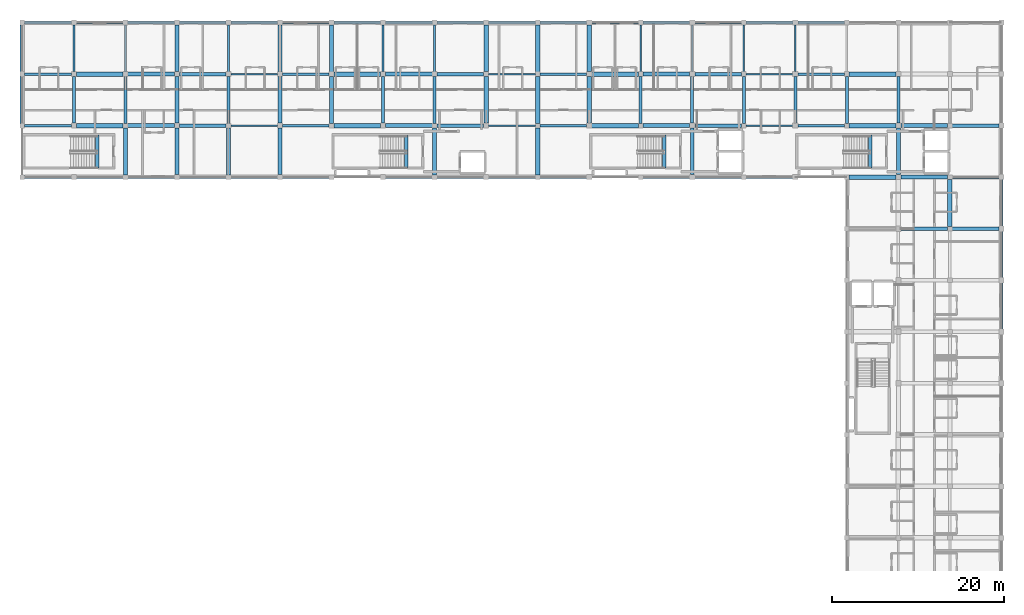
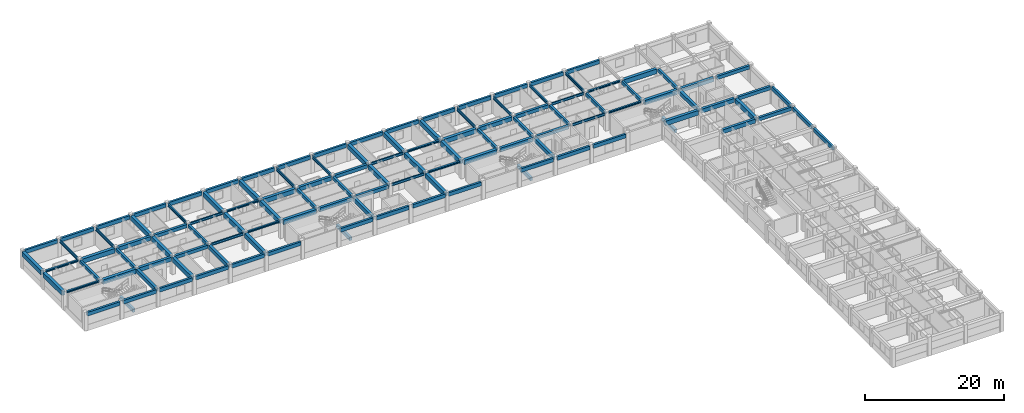
# One storey, part 2 of 21: 120 beams.
"""IFC4 building model written with IfcOpenShell, lengths in metres."""

from ifc_helpers import new_model, si_unit, direction, frame, origin, origin_2d, place, context, subcontext, project, spatial, rectangle, i_section, extrude, material, material_profile, profile_set, type_object, element, save


model = new_model("IFC4")

# Units and contexts
model_context = context("Model", 3, precision=1e-05, world=origin(), true_north=direction((0.0, 1.0)))
body_context = subcontext(model_context, "Body", "Model", "MODEL_VIEW")
ifc_project = project(units=[si_unit("LENGTHUNIT", "METRE"), si_unit("AREAUNIT", "SQUARE_METRE"), si_unit("VOLUMEUNIT", "CUBIC_METRE"), si_unit("PLANEANGLEUNIT", "RADIAN"), si_unit("MASSUNIT", "GRAM", prefix="KILO"), si_unit("THERMODYNAMICTEMPERATUREUNIT", "KELVIN"), si_unit("POWERUNIT", "WATT")], contexts=[model_context])

# Site, building, storey
site_placement = place(None, origin())
site = spatial("IfcSite", under=ifc_project, at=site_placement, CompositionType="ELEMENT")
building_placement = place(site_placement, origin())
building = spatial("IfcBuilding", under=site, at=building_placement, Name="Phaisarnlok Congress Hotel", CompositionType="ELEMENT")
storey_placement = place(building_placement, frame((0.0, 0.0, 31.5)))
storey = spatial("IfcBuildingStorey", under=building, at=storey_placement, Name="L07", CompositionType="ELEMENT", Elevation=31.5)

# Beams
ifc_material_1 = material(Name="Concrete C40/50", Category="concrete")
ifc_material_profile_1 = material_profile(ifc_material_1, rectangle(XDim=0.35009765625, YDim=0.550048828125, at=origin_2d()), Name="RC 350x550")
ifc_profile_set_1 = profile_set([ifc_material_profile_1], Name="Concrete C40/50")
beam_type_1 = type_object("IfcBeamType", Name="BM-RC-350x550", PredefinedType="BEAM", material=ifc_profile_set_1)
beam_1_placement = place(storey_placement, frame((72.0, 114.294921875, 2.794921875), z_axis=(0.0, 1.0, 0.0), x_axis=(-1.0, 0.0, 0.0)))
element("IfcBeam", 1, at=beam_1_placement, inside=storey, type_object=beam_type_1, Name="Beam B-01", PredefinedType="BEAM", context=body_context, shape_type="SweptSolid", body=[
    extrude(rectangle(XDim=0.35009765625, YDim=0.550048828125, at=origin_2d()), origin(), (0.0, 0.0, 1.0), 5.41015625),
])
for number, where, z_axis, x_axis, name in (
    (2, (78.0, 114.27001953125, 2.794921875), (0.0, 1.0, 0.0), (-1.0, 0.0, 0.0), "Beam B-01"),
    (3, (90.0, 114.27001953125, 2.794921875), (0.0, 1.0, 0.0), (-1.0, 0.0, 0.0), "Beam B-01"),
):
    element("IfcBeam", number, at=place(storey_placement, frame(where, z_axis=z_axis, x_axis=x_axis)), inside=storey, type_object=beam_type_1, Name=name, PredefinedType="BEAM", context=body_context, shape_type="SweptSolid", body=[
        extrude(rectangle(XDim=0.35009765625, YDim=0.550048828125, at=origin_2d()), origin(), (0.0, 0.0, 1.0), 5.4599609375),
    ])
beam_2_placement = place(storey_placement, frame((108.0, 114.294921875, 2.794921875), z_axis=(0.0, 1.0, 0.0), x_axis=(-1.0, 0.0, 0.0)))
element("IfcBeam", 4, at=beam_2_placement, inside=storey, type_object=beam_type_1, Name="Beam B-01", PredefinedType="BEAM", context=body_context, shape_type="SweptSolid", body=[
    extrude(rectangle(XDim=0.35009765625, YDim=0.550048828125, at=origin_2d()), origin(), (0.0, 0.0, 1.0), 5.41015625),
])
for number, where, z_axis, x_axis, name in (
    (5, (114.0, 114.27001953125, 2.794921875), (0.0, 1.0, 0.0), (-1.0, 0.0, 0.0), "Beam B-01"),
    (6, (138.0, 114.27001953125, 2.794921875), (0.0, 1.0, 0.0), (-1.0, 0.0, 0.0), "Beam B-01"),
):
    element("IfcBeam", number, at=place(storey_placement, frame(where, z_axis=z_axis, x_axis=x_axis)), inside=storey, type_object=beam_type_1, Name=name, PredefinedType="BEAM", context=body_context, shape_type="SweptSolid", body=[
        extrude(rectangle(XDim=0.35009765625, YDim=0.550048828125, at=origin_2d()), origin(), (0.0, 0.0, 1.0), 5.4599609375),
    ])
beam_3_placement = place(storey_placement, frame((144.0, 114.294921875, 2.794921875), z_axis=(0.0, 1.0, 0.0), x_axis=(-1.0, 0.0, 0.0)))
element("IfcBeam", 7, at=beam_3_placement, inside=storey, type_object=beam_type_1, Name="Beam B-01", PredefinedType="BEAM", context=body_context, shape_type="SweptSolid", body=[
    extrude(rectangle(XDim=0.35009765625, YDim=0.550048828125, at=origin_2d()), origin(), (0.0, 0.0, 1.0), 5.41015625),
])
beam_4_placement = place(storey_placement, frame((150.0, 114.27001953125, 2.794921875), z_axis=(0.0, 1.0, 0.0), x_axis=(-1.0, 0.0, 0.0)))
element("IfcBeam", 8, at=beam_4_placement, inside=storey, type_object=beam_type_1, Name="Beam B-01", PredefinedType="BEAM", context=body_context, shape_type="SweptSolid", body=[
    extrude(rectangle(XDim=0.35009765625, YDim=0.550048828125, at=origin_2d()), origin(), (0.0, 0.0, 1.0), 5.4599609375),
])
beam_5_placement = place(storey_placement, frame((156.0, 114.294921875, 2.794921875), z_axis=(0.0, 1.0, 0.0), x_axis=(-1.0, 0.0, 0.0)))
element("IfcBeam", 9, at=beam_5_placement, inside=storey, type_object=beam_type_1, Name="Beam B-01", PredefinedType="BEAM", context=body_context, shape_type="SweptSolid", body=[
    extrude(rectangle(XDim=0.35009765625, YDim=0.550048828125, at=origin_2d()), origin(), (0.0, 0.0, 1.0), 5.41015625),
])
beam_6_placement = place(storey_placement, frame((162.0, 114.27001953125, 2.794921875), z_axis=(0.0, 1.0, 0.0), x_axis=(-1.0, 0.0, 0.0)))
element("IfcBeam", 10, at=beam_6_placement, inside=storey, type_object=beam_type_1, Name="Beam B-01", PredefinedType="BEAM", context=body_context, shape_type="SweptSolid", body=[
    extrude(rectangle(XDim=0.35009765625, YDim=0.550048828125, at=origin_2d()), origin(), (0.0, 0.0, 1.0), 5.4599609375),
])
beam_7_placement = place(storey_placement, frame((168.0, 114.294921875, 2.794921875), z_axis=(0.0, 1.0, 0.0), x_axis=(-1.0, 0.0, 0.0)))
element("IfcBeam", 11, at=beam_7_placement, inside=storey, type_object=beam_type_1, Name="Beam B-01", PredefinedType="BEAM", context=body_context, shape_type="SweptSolid", body=[
    extrude(rectangle(XDim=0.35009765625, YDim=0.550048828125, at=origin_2d()), origin(), (0.0, 0.0, 1.0), 5.41015625),
])
ifc_material_profile_2 = material_profile(ifc_material_1, rectangle(XDim=0.39990234375, YDim=0.60009765625, at=origin_2d()), Name="RC 400x600")
ifc_profile_set_2 = profile_set([ifc_material_profile_2], Name="Concrete C40/50")
beam_type_2 = type_object("IfcBeamType", Name="BM-RC-400x600", PredefinedType="BEAM", material=ifc_profile_set_2)
for number, where, z_axis, x_axis, name in (
    (12, (84.294921875, 114.0, 2.77001953125), (1.0, 0.0, 0.0), (0.0, 1.0, 0.0), "Beam B-02"),
    (13, (84.294921875, 120.0, 2.77001953125), (1.0, 0.0, 0.0), (0.0, 1.0, 0.0), "Beam B-02"),
    (14, (114.27001953125, 114.0, 2.77001953125), (1.0, 0.0, 0.0), (0.0, 1.0, 0.0), "Beam B-02"),
    (15, (114.27001953125, 120.0, 2.77001953125), (1.0, 0.0, 0.0), (0.0, 1.0, 0.0), "Beam B-02"),
    (16, (144.294921875, 114.0, 2.77001953125), (1.0, 0.0, 0.0), (0.0, 1.0, 0.0), "Beam B-02"),
    (17, (144.294921875, 120.0, 2.77001953125), (1.0, 0.0, 0.0), (0.0, 1.0, 0.0), "Beam B-02"),
    (18, (174.27001953125, 102.0, 2.77001953125), (1.0, 0.0, 0.0), (0.0, 1.0, 0.0), "Beam B-02"),
    (19, (174.27001953125, 108.0, 2.77001953125), (1.0, 0.0, 0.0), (0.0, 1.0, 0.0), "Beam B-02"),
    (20, (174.27001953125, 114.0, 2.77001953125), (1.0, 0.0, 0.0), (0.0, 1.0, 0.0), "Beam B-02"),
):
    element("IfcBeam", number, at=place(storey_placement, frame(where, z_axis=z_axis, x_axis=x_axis)), inside=storey, type_object=beam_type_2, Name=name, PredefinedType="BEAM", context=body_context, shape_type="SweptSolid", body=[
        extrude(rectangle(XDim=0.39990234375, YDim=0.60009765625, at=origin_2d()), origin(), (0.0, 0.0, 1.0), 5.43505859375),
    ])
for number, where, z_axis, x_axis, name in (
    (21, (164.719970703125, 109.080078125, -0.300048828125), (0.0, 1.0, 0.0), (-1.0, 0.0, 0.0), "Stair landing header beam B-02 (CORE-1 L07)"),
    (22, (140.719970703125, 109.080078125, -0.300048828125), (0.0, 1.0, 0.0), (-1.0, 0.0, 0.0), "Stair landing header beam B-02 (CORE-2 L07)"),
    (23, (110.719970703125, 109.080078125, -0.300048828125), (0.0, 1.0, 0.0), (-1.0, 0.0, 0.0), "Stair landing header beam B-02 (CORE-4 L07)"),
    (24, (74.719970703125, 109.080078125, -0.300048828125), (0.0, 1.0, 0.0), (-1.0, 0.0, 0.0), "Stair landing header beam B-02 (STAIR-HW L07)"),
):
    element("IfcBeam", number, at=place(storey_placement, frame(where, z_axis=z_axis, x_axis=x_axis)), inside=storey, type_object=beam_type_2, Name=name, PredefinedType="BEAM", context=body_context, shape_type="SweptSolid", body=[
        extrude(rectangle(XDim=0.39990234375, YDim=0.60009765625, at=origin_2d()), origin(), (0.0, 0.0, 1.0), 3.83984375),
    ])
ifc_material_profile_3 = material_profile(ifc_material_1, rectangle(XDim=0.449951171875, YDim=0.699951171875, at=origin_2d()), Name="RC 450x700")
ifc_profile_set_3 = profile_set([ifc_material_profile_3], Name="Concrete C40/50")
beam_type_3 = type_object("IfcBeamType", Name="BM-RC-450x700", PredefinedType="BEAM", material=ifc_profile_set_3)
beam_8_placement = place(storey_placement, frame((78.0, 108.27001953125, 2.719970703125), z_axis=(0.0, 1.0, 0.0), x_axis=(-1.0, 0.0, 0.0)))
element("IfcBeam", 25, at=beam_8_placement, inside=storey, type_object=beam_type_3, Name="Beam B-03", PredefinedType="BEAM", context=body_context, shape_type="SweptSolid", body=[
    extrude(rectangle(XDim=0.449951171875, YDim=0.699951171875, at=origin_2d()), origin(), (0.0, 0.0, 1.0), 5.4599609375),
])
for number, where, z_axis, x_axis, name in (
    (26, (78.27001953125, 114.0, 2.719970703125), (1.0, 0.0, 0.0), (0.0, 1.0, 0.0), "Beam B-03"),
    (27, (78.27001953125, 120.0, 2.719970703125), (1.0, 0.0, 0.0), (0.0, 1.0, 0.0), "Beam B-03"),
):
    element("IfcBeam", number, at=place(storey_placement, frame(where, z_axis=z_axis, x_axis=x_axis)), inside=storey, type_object=beam_type_3, Name=name, PredefinedType="BEAM", context=body_context, shape_type="SweptSolid", body=[
        extrude(rectangle(XDim=0.449951171875, YDim=0.699951171875, at=origin_2d()), origin(), (0.0, 0.0, 1.0), 5.43505859375),
    ])
beam_9_placement = place(storey_placement, frame((90.0, 108.27001953125, 2.719970703125), z_axis=(0.0, 1.0, 0.0), x_axis=(-1.0, 0.0, 0.0)))
element("IfcBeam", 28, at=beam_9_placement, inside=storey, type_object=beam_type_3, Name="Beam B-03", PredefinedType="BEAM", context=body_context, shape_type="SweptSolid", body=[
    extrude(rectangle(XDim=0.449951171875, YDim=0.699951171875, at=origin_2d()), origin(), (0.0, 0.0, 1.0), 5.4599609375),
])
for number, where, z_axis, x_axis, name in (
    (29, (108.294921875, 114.0, 2.719970703125), (1.0, 0.0, 0.0), (0.0, 1.0, 0.0), "Beam B-03"),
    (30, (108.294921875, 120.0, 2.719970703125), (1.0, 0.0, 0.0), (0.0, 1.0, 0.0), "Beam B-03"),
):
    element("IfcBeam", number, at=place(storey_placement, frame(where, z_axis=z_axis, x_axis=x_axis)), inside=storey, type_object=beam_type_3, Name=name, PredefinedType="BEAM", context=body_context, shape_type="SweptSolid", body=[
        extrude(rectangle(XDim=0.449951171875, YDim=0.699951171875, at=origin_2d()), origin(), (0.0, 0.0, 1.0), 5.43505859375),
    ])
beam_10_placement = place(storey_placement, frame((114.0, 108.27001953125, 2.719970703125), z_axis=(0.0, 1.0, 0.0), x_axis=(-1.0, 0.0, 0.0)))
element("IfcBeam", 31, at=beam_10_placement, inside=storey, type_object=beam_type_3, Name="Beam B-03", PredefinedType="BEAM", context=body_context, shape_type="SweptSolid", body=[
    extrude(rectangle(XDim=0.449951171875, YDim=0.699951171875, at=origin_2d()), origin(), (0.0, 0.0, 1.0), 5.4599609375),
])
for number, where, z_axis, x_axis, name in (
    (32, (138.27001953125, 114.0, 2.719970703125), (1.0, 0.0, 0.0), (0.0, 1.0, 0.0), "Beam B-03"),
    (33, (138.27001953125, 120.0, 2.719970703125), (1.0, 0.0, 0.0), (0.0, 1.0, 0.0), "Beam B-03"),
):
    element("IfcBeam", number, at=place(storey_placement, frame(where, z_axis=z_axis, x_axis=x_axis)), inside=storey, type_object=beam_type_3, Name=name, PredefinedType="BEAM", context=body_context, shape_type="SweptSolid", body=[
        extrude(rectangle(XDim=0.449951171875, YDim=0.699951171875, at=origin_2d()), origin(), (0.0, 0.0, 1.0), 5.43505859375),
    ])
beam_11_placement = place(storey_placement, frame((144.0, 108.294921875, 2.719970703125), z_axis=(0.0, 1.0, 0.0), x_axis=(-1.0, 0.0, 0.0)))
element("IfcBeam", 34, at=beam_11_placement, inside=storey, type_object=beam_type_3, Name="Beam B-03", PredefinedType="BEAM", context=body_context, shape_type="SweptSolid", body=[
    extrude(rectangle(XDim=0.449951171875, YDim=0.699951171875, at=origin_2d()), origin(), (0.0, 0.0, 1.0), 5.41015625),
])
for number, where, z_axis, x_axis, name in (
    (35, (168.294921875, 102.0, 2.719970703125), (1.0, 0.0, 0.0), (0.0, 1.0, 0.0), "Beam B-03"),
    (36, (168.294921875, 108.0, 2.719970703125), (1.0, 0.0, 0.0), (0.0, 1.0, 0.0), "Beam B-03"),
):
    element("IfcBeam", number, at=place(storey_placement, frame(where, z_axis=z_axis, x_axis=x_axis)), inside=storey, type_object=beam_type_3, Name=name, PredefinedType="BEAM", context=body_context, shape_type="SweptSolid", body=[
        extrude(rectangle(XDim=0.449951171875, YDim=0.699951171875, at=origin_2d()), origin(), (0.0, 0.0, 1.0), 5.43505859375),
    ])
beam_12_placement = place(storey_placement, frame((168.0, 108.294921875, 2.719970703125), z_axis=(0.0, 1.0, 0.0), x_axis=(-1.0, 0.0, 0.0)))
element("IfcBeam", 37, at=beam_12_placement, inside=storey, type_object=beam_type_3, Name="Beam B-03", PredefinedType="BEAM", context=body_context, shape_type="SweptSolid", body=[
    extrude(rectangle(XDim=0.449951171875, YDim=0.699951171875, at=origin_2d()), origin(), (0.0, 0.0, 1.0), 5.41015625),
])
beam_13_placement = place(storey_placement, frame((168.294921875, 114.0, 2.719970703125), z_axis=(1.0, 0.0, 0.0), x_axis=(0.0, 1.0, 0.0)))
element("IfcBeam", 38, at=beam_13_placement, inside=storey, type_object=beam_type_3, Name="Beam B-03", PredefinedType="BEAM", context=body_context, shape_type="SweptSolid", body=[
    extrude(rectangle(XDim=0.449951171875, YDim=0.699951171875, at=origin_2d()), origin(), (0.0, 0.0, 1.0), 5.43505859375),
])
ifc_material_profile_4 = material_profile(ifc_material_1, rectangle(XDim=0.5, YDim=0.800048828125, at=origin_2d()), Name="RC 500x800")
ifc_profile_set_4 = profile_set([ifc_material_profile_4], Name="Concrete C40/50")
beam_type_4 = type_object("IfcBeamType", Name="BM-RC-500x800", PredefinedType="BEAM", material=ifc_profile_set_4)
for number, where, z_axis, x_axis, name in (
    (39, (72.294921875, 114.0, 2.669921875), (1.0, 0.0, 0.0), (0.0, 1.0, 0.0), "Beam B-04"),
    (40, (72.294921875, 120.0, 2.669921875), (1.0, 0.0, 0.0), (0.0, 1.0, 0.0), "Beam B-04"),
):
    element("IfcBeam", number, at=place(storey_placement, frame(where, z_axis=z_axis, x_axis=x_axis)), inside=storey, type_object=beam_type_4, Name=name, PredefinedType="BEAM", context=body_context, shape_type="SweptSolid", body=[
        extrude(rectangle(XDim=0.5, YDim=0.800048828125, at=origin_2d()), origin(), (0.0, 0.0, 1.0), 5.43505859375),
    ])
for number, where, z_axis, x_axis, name in (
    (41, (84.0, 108.294921875, 2.669921875), (0.0, 1.0, 0.0), (-1.0, 0.0, 0.0), "Beam B-04"),
    (42, (84.0, 114.294921875, 2.669921875), (0.0, 1.0, 0.0), (-1.0, 0.0, 0.0), "Beam B-04"),
    (43, (84.0, 120.294921875, 2.669921875), (0.0, 1.0, 0.0), (-1.0, 0.0, 0.0), "Beam B-04"),
    (44, (96.0, 108.294921875, 2.669921875), (0.0, 1.0, 0.0), (-1.0, 0.0, 0.0), "Beam B-04"),
    (45, (96.0, 114.294921875, 2.669921875), (0.0, 1.0, 0.0), (-1.0, 0.0, 0.0), "Beam B-04"),
    (46, (96.0, 120.294921875, 2.669921875), (0.0, 1.0, 0.0), (-1.0, 0.0, 0.0), "Beam B-04"),
):
    element("IfcBeam", number, at=place(storey_placement, frame(where, z_axis=z_axis, x_axis=x_axis)), inside=storey, type_object=beam_type_4, Name=name, PredefinedType="BEAM", context=body_context, shape_type="SweptSolid", body=[
        extrude(rectangle(XDim=0.5, YDim=0.800048828125, at=origin_2d()), origin(), (0.0, 0.0, 1.0), 5.41015625),
    ])
beam_14_placement = place(storey_placement, frame((102.27001953125, 114.0, 2.669921875), z_axis=(1.0, 0.0, 0.0), x_axis=(0.0, 1.0, 0.0)))
element("IfcBeam", 47, at=beam_14_placement, inside=storey, type_object=beam_type_4, Name="Beam B-04", PredefinedType="BEAM", context=body_context, shape_type="SweptSolid", body=[
    extrude(rectangle(XDim=0.5, YDim=0.800048828125, at=origin_2d()), origin(), (0.0, 0.0, 1.0), 5.43505859375),
])
beam_15_placement = place(storey_placement, frame((102.0, 114.27001953125, 2.669921875), z_axis=(0.0, 1.0, 0.0), x_axis=(-1.0, 0.0, 0.0)))
element("IfcBeam", 48, at=beam_15_placement, inside=storey, type_object=beam_type_4, Name="Beam B-04", PredefinedType="BEAM", context=body_context, shape_type="SweptSolid", body=[
    extrude(rectangle(XDim=0.5, YDim=0.800048828125, at=origin_2d()), origin(), (0.0, 0.0, 1.0), 5.4599609375),
])
beam_16_placement = place(storey_placement, frame((102.27001953125, 120.0, 2.669921875), z_axis=(1.0, 0.0, 0.0), x_axis=(0.0, 1.0, 0.0)))
element("IfcBeam", 49, at=beam_16_placement, inside=storey, type_object=beam_type_4, Name="Beam B-04", PredefinedType="BEAM", context=body_context, shape_type="SweptSolid", body=[
    extrude(rectangle(XDim=0.5, YDim=0.800048828125, at=origin_2d()), origin(), (0.0, 0.0, 1.0), 5.43505859375),
])
beam_17_placement = place(storey_placement, frame((102.0, 120.27001953125, 2.669921875), z_axis=(0.0, 1.0, 0.0), x_axis=(-1.0, 0.0, 0.0)))
element("IfcBeam", 50, at=beam_17_placement, inside=storey, type_object=beam_type_4, Name="Beam B-04", PredefinedType="BEAM", context=body_context, shape_type="SweptSolid", body=[
    extrude(rectangle(XDim=0.5, YDim=0.800048828125, at=origin_2d()), origin(), (0.0, 0.0, 1.0), 5.4599609375),
])
for number, where, z_axis, x_axis, name in (
    (51, (120.0, 114.294921875, 2.669921875), (0.0, 1.0, 0.0), (-1.0, 0.0, 0.0), "Beam B-04"),
    (52, (120.0, 120.294921875, 2.669921875), (0.0, 1.0, 0.0), (-1.0, 0.0, 0.0), "Beam B-04"),
):
    element("IfcBeam", number, at=place(storey_placement, frame(where, z_axis=z_axis, x_axis=x_axis)), inside=storey, type_object=beam_type_4, Name=name, PredefinedType="BEAM", context=body_context, shape_type="SweptSolid", body=[
        extrude(rectangle(XDim=0.5, YDim=0.800048828125, at=origin_2d()), origin(), (0.0, 0.0, 1.0), 5.41015625),
    ])
for number, where, z_axis, x_axis, name in (
    (53, (126.0, 108.27001953125, 2.669921875), (0.0, 1.0, 0.0), (-1.0, 0.0, 0.0), "Beam B-04"),
    (54, (126.0, 114.27001953125, 2.669921875), (0.0, 1.0, 0.0), (-1.0, 0.0, 0.0), "Beam B-04"),
    (55, (126.0, 120.27001953125, 2.669921875), (0.0, 1.0, 0.0), (-1.0, 0.0, 0.0), "Beam B-04"),
):
    element("IfcBeam", number, at=place(storey_placement, frame(where, z_axis=z_axis, x_axis=x_axis)), inside=storey, type_object=beam_type_4, Name=name, PredefinedType="BEAM", context=body_context, shape_type="SweptSolid", body=[
        extrude(rectangle(XDim=0.5, YDim=0.800048828125, at=origin_2d()), origin(), (0.0, 0.0, 1.0), 5.4599609375),
    ])
beam_18_placement = place(storey_placement, frame((132.294921875, 114.0, 2.669921875), z_axis=(1.0, 0.0, 0.0), x_axis=(0.0, 1.0, 0.0)))
element("IfcBeam", 56, at=beam_18_placement, inside=storey, type_object=beam_type_4, Name="Beam B-04", PredefinedType="BEAM", context=body_context, shape_type="SweptSolid", body=[
    extrude(rectangle(XDim=0.5, YDim=0.800048828125, at=origin_2d()), origin(), (0.0, 0.0, 1.0), 5.43505859375),
])
beam_19_placement = place(storey_placement, frame((132.0, 114.294921875, 2.669921875), z_axis=(0.0, 1.0, 0.0), x_axis=(-1.0, 0.0, 0.0)))
element("IfcBeam", 57, at=beam_19_placement, inside=storey, type_object=beam_type_4, Name="Beam B-04", PredefinedType="BEAM", context=body_context, shape_type="SweptSolid", body=[
    extrude(rectangle(XDim=0.5, YDim=0.800048828125, at=origin_2d()), origin(), (0.0, 0.0, 1.0), 5.41015625),
])
beam_20_placement = place(storey_placement, frame((132.294921875, 120.0, 2.669921875), z_axis=(1.0, 0.0, 0.0), x_axis=(0.0, 1.0, 0.0)))
element("IfcBeam", 58, at=beam_20_placement, inside=storey, type_object=beam_type_4, Name="Beam B-04", PredefinedType="BEAM", context=body_context, shape_type="SweptSolid", body=[
    extrude(rectangle(XDim=0.5, YDim=0.800048828125, at=origin_2d()), origin(), (0.0, 0.0, 1.0), 5.43505859375),
])
beam_21_placement = place(storey_placement, frame((132.0, 120.294921875, 2.669921875), z_axis=(0.0, 1.0, 0.0), x_axis=(-1.0, 0.0, 0.0)))
element("IfcBeam", 59, at=beam_21_placement, inside=storey, type_object=beam_type_4, Name="Beam B-04", PredefinedType="BEAM", context=body_context, shape_type="SweptSolid", body=[
    extrude(rectangle(XDim=0.5, YDim=0.800048828125, at=origin_2d()), origin(), (0.0, 0.0, 1.0), 5.41015625),
])
for number, where, z_axis, x_axis, name in (
    (60, (162.27001953125, 108.0, 2.669921875), (1.0, 0.0, 0.0), (0.0, 1.0, 0.0), "Beam B-04"),
    (61, (162.27001953125, 114.0, 2.669921875), (1.0, 0.0, 0.0), (0.0, 1.0, 0.0), "Beam B-04"),
    (62, (162.27001953125, 120.0, 2.669921875), (1.0, 0.0, 0.0), (0.0, 1.0, 0.0), "Beam B-04"),
):
    element("IfcBeam", number, at=place(storey_placement, frame(where, z_axis=z_axis, x_axis=x_axis)), inside=storey, type_object=beam_type_4, Name=name, PredefinedType="BEAM", context=body_context, shape_type="SweptSolid", body=[
        extrude(rectangle(XDim=0.5, YDim=0.800048828125, at=origin_2d()), origin(), (0.0, 0.0, 1.0), 5.43505859375),
    ])
beam_22_placement = place(storey_placement, frame((174.0, 102.27001953125, 2.669921875), z_axis=(0.0, 1.0, 0.0), x_axis=(-1.0, 0.0, 0.0)))
element("IfcBeam", 63, at=beam_22_placement, inside=storey, type_object=beam_type_4, Name="Beam B-04", PredefinedType="BEAM", context=body_context, shape_type="SweptSolid", body=[
    extrude(rectangle(XDim=0.5, YDim=0.800048828125, at=origin_2d()), origin(), (0.0, 0.0, 1.0), 5.4599609375),
])
ifc_material_2 = material(Name="Steel S355", Category="steel")
ifc_material_profile_5 = material_profile(ifc_material_2, i_section(OverallWidth=0.300048828125, OverallDepth=0.2900390625, WebThickness=0.008544921875, FlangeThickness=0.013916015625, FilletRadius=0.027099609375, at=origin_2d()), Name="HEA 300")
ifc_profile_set_5 = profile_set([ifc_material_profile_5], Name="Steel S355")
beam_type_5 = type_object("IfcBeamType", Name="BM-STL-HEA300", PredefinedType="BEAM", material=ifc_profile_set_5)
for number, where, z_axis, x_axis, name in (
    (64, (66.27001953125, 114.0, 2.925048828125), (1.0, 0.0, 0.0), (0.0, 1.0, 0.0), "Beam SB-05"),
    (65, (66.27001953125, 120.0, 2.925048828125), (1.0, 0.0, 0.0), (0.0, 1.0, 0.0), "Beam SB-05"),
    (66, (96.294921875, 114.0, 2.925048828125), (1.0, 0.0, 0.0), (0.0, 1.0, 0.0), "Beam SB-05"),
    (67, (96.294921875, 120.0, 2.925048828125), (1.0, 0.0, 0.0), (0.0, 1.0, 0.0), "Beam SB-05"),
    (68, (126.27001953125, 114.0, 2.925048828125), (1.0, 0.0, 0.0), (0.0, 1.0, 0.0), "Beam SB-05"),
    (69, (126.27001953125, 120.0, 2.925048828125), (1.0, 0.0, 0.0), (0.0, 1.0, 0.0), "Beam SB-05"),
    (70, (156.294921875, 114.0, 2.925048828125), (1.0, 0.0, 0.0), (0.0, 1.0, 0.0), "Beam SB-05"),
    (71, (156.294921875, 120.0, 2.925048828125), (1.0, 0.0, 0.0), (0.0, 1.0, 0.0), "Beam SB-05"),
):
    element("IfcBeam", number, at=place(storey_placement, frame(where, z_axis=z_axis, x_axis=x_axis)), inside=storey, type_object=beam_type_5, Name=name, PredefinedType="BEAM", context=body_context, shape_type="SweptSolid", body=[
        extrude(i_section(OverallWidth=0.300048828125, OverallDepth=0.2900390625, WebThickness=0.008544921875, FlangeThickness=0.013916015625, FilletRadius=0.027099609375, at=origin_2d()), origin(), (0.0, 0.0, 1.0), 5.43505859375),
    ])
ifc_material_profile_6 = material_profile(ifc_material_2, i_section(OverallWidth=0.18994140625, OverallDepth=0.449951171875, WebThickness=0.009521484375, FlangeThickness=0.0146484375, FilletRadius=0.02099609375, at=origin_2d()), Name="IPE 450")
ifc_profile_set_6 = profile_set([ifc_material_profile_6], Name="Steel S355")
beam_type_6 = type_object("IfcBeamType", Name="BM-STL-IPE450", PredefinedType="BEAM", material=ifc_profile_set_6)
for number, where, z_axis, x_axis, name in (
    (72, (90.27001953125, 114.0, 2.844970703125), (1.0, 0.0, 0.0), (0.0, 1.0, 0.0), "Beam SB-01"),
    (73, (90.27001953125, 120.0, 2.844970703125), (1.0, 0.0, 0.0), (0.0, 1.0, 0.0), "Beam SB-01"),
    (74, (120.294921875, 114.0, 2.844970703125), (1.0, 0.0, 0.0), (0.0, 1.0, 0.0), "Beam SB-01"),
    (75, (120.294921875, 120.0, 2.844970703125), (1.0, 0.0, 0.0), (0.0, 1.0, 0.0), "Beam SB-01"),
    (76, (150.27001953125, 114.0, 2.844970703125), (1.0, 0.0, 0.0), (0.0, 1.0, 0.0), "Beam SB-01"),
    (77, (150.27001953125, 120.0, 2.844970703125), (1.0, 0.0, 0.0), (0.0, 1.0, 0.0), "Beam SB-01"),
):
    element("IfcBeam", number, at=place(storey_placement, frame(where, z_axis=z_axis, x_axis=x_axis)), inside=storey, type_object=beam_type_6, Name=name, PredefinedType="BEAM", context=body_context, shape_type="SweptSolid", body=[
        extrude(i_section(OverallWidth=0.18994140625, OverallDepth=0.449951171875, WebThickness=0.009521484375, FlangeThickness=0.0146484375, FilletRadius=0.02099609375, at=origin_2d()), origin(), (0.0, 0.0, 1.0), 5.43505859375),
    ])
ifc_material_profile_7 = material_profile(ifc_material_2, i_section(OverallWidth=0.199951171875, OverallDepth=0.5, WebThickness=0.01025390625, FlangeThickness=0.01611328125, FilletRadius=0.02099609375, at=origin_2d()), Name="IPE 500")
ifc_profile_set_7 = profile_set([ifc_material_profile_7], Name="Steel S355")
beam_type_7 = type_object("IfcBeamType", Name="BM-STL-IPE500", PredefinedType="BEAM", material=ifc_profile_set_7)
beam_23_placement = place(storey_placement, frame((72.0, 120.294921875, 2.820068359375), z_axis=(0.0, 1.0, 0.0), x_axis=(-1.0, 0.0, 0.0)))
element("IfcBeam", 78, at=beam_23_placement, inside=storey, type_object=beam_type_7, Name="Beam SB-02", PredefinedType="BEAM", context=body_context, shape_type="SweptSolid", body=[
    extrude(i_section(OverallWidth=0.199951171875, OverallDepth=0.5, WebThickness=0.01025390625, FlangeThickness=0.01611328125, FilletRadius=0.02099609375, at=origin_2d()), origin(), (0.0, 0.0, 1.0), 5.41015625),
])
for number, where, z_axis, x_axis, name in (
    (79, (78.0, 120.27001953125, 2.820068359375), (0.0, 1.0, 0.0), (-1.0, 0.0, 0.0), "Beam SB-02"),
    (80, (90.0, 120.27001953125, 2.820068359375), (0.0, 1.0, 0.0), (-1.0, 0.0, 0.0), "Beam SB-02"),
):
    element("IfcBeam", number, at=place(storey_placement, frame(where, z_axis=z_axis, x_axis=x_axis)), inside=storey, type_object=beam_type_7, Name=name, PredefinedType="BEAM", context=body_context, shape_type="SweptSolid", body=[
        extrude(i_section(OverallWidth=0.199951171875, OverallDepth=0.5, WebThickness=0.01025390625, FlangeThickness=0.01611328125, FilletRadius=0.02099609375, at=origin_2d()), origin(), (0.0, 0.0, 1.0), 5.4599609375),
    ])
beam_24_placement = place(storey_placement, frame((108.0, 120.294921875, 2.820068359375), z_axis=(0.0, 1.0, 0.0), x_axis=(-1.0, 0.0, 0.0)))
element("IfcBeam", 81, at=beam_24_placement, inside=storey, type_object=beam_type_7, Name="Beam SB-02", PredefinedType="BEAM", context=body_context, shape_type="SweptSolid", body=[
    extrude(i_section(OverallWidth=0.199951171875, OverallDepth=0.5, WebThickness=0.01025390625, FlangeThickness=0.01611328125, FilletRadius=0.02099609375, at=origin_2d()), origin(), (0.0, 0.0, 1.0), 5.41015625),
])
for number, where, z_axis, x_axis, name in (
    (82, (114.0, 120.27001953125, 2.820068359375), (0.0, 1.0, 0.0), (-1.0, 0.0, 0.0), "Beam SB-02"),
    (83, (138.0, 120.27001953125, 2.820068359375), (0.0, 1.0, 0.0), (-1.0, 0.0, 0.0), "Beam SB-02"),
):
    element("IfcBeam", number, at=place(storey_placement, frame(where, z_axis=z_axis, x_axis=x_axis)), inside=storey, type_object=beam_type_7, Name=name, PredefinedType="BEAM", context=body_context, shape_type="SweptSolid", body=[
        extrude(i_section(OverallWidth=0.199951171875, OverallDepth=0.5, WebThickness=0.01025390625, FlangeThickness=0.01611328125, FilletRadius=0.02099609375, at=origin_2d()), origin(), (0.0, 0.0, 1.0), 5.4599609375),
    ])
beam_25_placement = place(storey_placement, frame((144.0, 120.294921875, 2.820068359375), z_axis=(0.0, 1.0, 0.0), x_axis=(-1.0, 0.0, 0.0)))
element("IfcBeam", 84, at=beam_25_placement, inside=storey, type_object=beam_type_7, Name="Beam SB-02", PredefinedType="BEAM", context=body_context, shape_type="SweptSolid", body=[
    extrude(i_section(OverallWidth=0.199951171875, OverallDepth=0.5, WebThickness=0.01025390625, FlangeThickness=0.01611328125, FilletRadius=0.02099609375, at=origin_2d()), origin(), (0.0, 0.0, 1.0), 5.41015625),
])
beam_26_placement = place(storey_placement, frame((150.0, 120.27001953125, 2.820068359375), z_axis=(0.0, 1.0, 0.0), x_axis=(-1.0, 0.0, 0.0)))
element("IfcBeam", 85, at=beam_26_placement, inside=storey, type_object=beam_type_7, Name="Beam SB-02", PredefinedType="BEAM", context=body_context, shape_type="SweptSolid", body=[
    extrude(i_section(OverallWidth=0.199951171875, OverallDepth=0.5, WebThickness=0.01025390625, FlangeThickness=0.01611328125, FilletRadius=0.02099609375, at=origin_2d()), origin(), (0.0, 0.0, 1.0), 5.4599609375),
])
beam_27_placement = place(storey_placement, frame((156.0, 120.294921875, 2.820068359375), z_axis=(0.0, 1.0, 0.0), x_axis=(-1.0, 0.0, 0.0)))
element("IfcBeam", 86, at=beam_27_placement, inside=storey, type_object=beam_type_7, Name="Beam SB-02", PredefinedType="BEAM", context=body_context, shape_type="SweptSolid", body=[
    extrude(i_section(OverallWidth=0.199951171875, OverallDepth=0.5, WebThickness=0.01025390625, FlangeThickness=0.01611328125, FilletRadius=0.02099609375, at=origin_2d()), origin(), (0.0, 0.0, 1.0), 5.41015625),
])
ifc_material_profile_8 = material_profile(ifc_material_1, rectangle(XDim=0.35009765625, YDim=0.64990234375, at=origin_2d()), Name="RC 350x650")
ifc_profile_set_8 = profile_set([ifc_material_profile_8], Name="Concrete C40/50")
beam_type_8 = type_object("IfcBeamType", Name="SP-RC-350x650", PredefinedType="SPANDREL", material=ifc_profile_set_8)
for number, where, z_axis, x_axis, name in (
    (87, (66.27001953125, 108.0, 2.7451171875), (1.0, 0.0, 0.0), (0.0, 1.0, 0.0), "Beam SP-01"),
    (88, (66.27001953125, 126.0, 2.7451171875), (1.0, 0.0, 0.0), (0.0, 1.0, 0.0), "Beam SP-01"),
    (89, (72.294921875, 108.0, 2.7451171875), (1.0, 0.0, 0.0), (0.0, 1.0, 0.0), "Beam SP-01"),
    (90, (72.294921875, 126.0, 2.7451171875), (1.0, 0.0, 0.0), (0.0, 1.0, 0.0), "Beam SP-01"),
    (91, (78.27001953125, 108.0, 2.7451171875), (1.0, 0.0, 0.0), (0.0, 1.0, 0.0), "Beam SP-01"),
    (92, (78.27001953125, 126.0, 2.7451171875), (1.0, 0.0, 0.0), (0.0, 1.0, 0.0), "Beam SP-01"),
    (93, (84.294921875, 108.0, 2.7451171875), (1.0, 0.0, 0.0), (0.0, 1.0, 0.0), "Beam SP-01"),
    (94, (84.294921875, 126.0, 2.7451171875), (1.0, 0.0, 0.0), (0.0, 1.0, 0.0), "Beam SP-01"),
    (95, (90.27001953125, 108.0, 2.7451171875), (1.0, 0.0, 0.0), (0.0, 1.0, 0.0), "Beam SP-01"),
    (96, (90.27001953125, 126.0, 2.7451171875), (1.0, 0.0, 0.0), (0.0, 1.0, 0.0), "Beam SP-01"),
    (97, (96.294921875, 108.0, 2.7451171875), (1.0, 0.0, 0.0), (0.0, 1.0, 0.0), "Beam SP-01"),
    (98, (96.294921875, 126.0, 2.7451171875), (1.0, 0.0, 0.0), (0.0, 1.0, 0.0), "Beam SP-01"),
    (99, (102.27001953125, 126.0, 2.7451171875), (1.0, 0.0, 0.0), (0.0, 1.0, 0.0), "Beam SP-01"),
    (100, (108.294921875, 108.0, 2.7451171875), (1.0, 0.0, 0.0), (0.0, 1.0, 0.0), "Beam SP-01"),
    (101, (108.294921875, 126.0, 2.7451171875), (1.0, 0.0, 0.0), (0.0, 1.0, 0.0), "Beam SP-01"),
    (102, (114.27001953125, 108.0, 2.7451171875), (1.0, 0.0, 0.0), (0.0, 1.0, 0.0), "Beam SP-01"),
    (103, (114.27001953125, 126.0, 2.7451171875), (1.0, 0.0, 0.0), (0.0, 1.0, 0.0), "Beam SP-01"),
    (104, (120.294921875, 108.0, 2.7451171875), (1.0, 0.0, 0.0), (0.0, 1.0, 0.0), "Beam SP-01"),
    (105, (120.294921875, 126.0, 2.7451171875), (1.0, 0.0, 0.0), (0.0, 1.0, 0.0), "Beam SP-01"),
    (106, (126.27001953125, 108.0, 2.7451171875), (1.0, 0.0, 0.0), (0.0, 1.0, 0.0), "Beam SP-01"),
    (107, (126.27001953125, 126.0, 2.7451171875), (1.0, 0.0, 0.0), (0.0, 1.0, 0.0), "Beam SP-01"),
    (108, (132.294921875, 126.0, 2.7451171875), (1.0, 0.0, 0.0), (0.0, 1.0, 0.0), "Beam SP-01"),
    (109, (138.27001953125, 108.0, 2.7451171875), (1.0, 0.0, 0.0), (0.0, 1.0, 0.0), "Beam SP-01"),
    (110, (138.27001953125, 126.0, 2.7451171875), (1.0, 0.0, 0.0), (0.0, 1.0, 0.0), "Beam SP-01"),
    (111, (144.294921875, 108.0, 2.7451171875), (1.0, 0.0, 0.0), (0.0, 1.0, 0.0), "Beam SP-01"),
    (112, (144.294921875, 126.0, 2.7451171875), (1.0, 0.0, 0.0), (0.0, 1.0, 0.0), "Beam SP-01"),
    (113, (150.27001953125, 108.0, 2.7451171875), (1.0, 0.0, 0.0), (0.0, 1.0, 0.0), "Beam SP-01"),
    (114, (150.27001953125, 126.0, 2.7451171875), (1.0, 0.0, 0.0), (0.0, 1.0, 0.0), "Beam SP-01"),
    (115, (156.294921875, 126.0, 2.7451171875), (1.0, 0.0, 0.0), (0.0, 1.0, 0.0), "Beam SP-01"),
):
    element("IfcBeam", number, at=place(storey_placement, frame(where, z_axis=z_axis, x_axis=x_axis)), inside=storey, type_object=beam_type_8, Name=name, PredefinedType="SPANDREL", context=body_context, shape_type="SweptSolid", body=[
        extrude(rectangle(XDim=0.35009765625, YDim=0.64990234375, at=origin_2d()), origin(), (0.0, 0.0, 1.0), 5.43505859375),
    ])
for number, where, z_axis, x_axis, name in (
    (116, (180.0, 90.294921875, 2.7451171875), (0.0, 1.0, 0.0), (-1.0, 0.0, 0.0), "Beam SP-01"),
    (117, (180.0, 96.294921875, 2.7451171875), (0.0, 1.0, 0.0), (-1.0, 0.0, 0.0), "Beam SP-01"),
    (118, (180.0, 102.294921875, 2.7451171875), (0.0, 1.0, 0.0), (-1.0, 0.0, 0.0), "Beam SP-01"),
):
    element("IfcBeam", number, at=place(storey_placement, frame(where, z_axis=z_axis, x_axis=x_axis)), inside=storey, type_object=beam_type_8, Name=name, PredefinedType="SPANDREL", context=body_context, shape_type="SweptSolid", body=[
        extrude(rectangle(XDim=0.35009765625, YDim=0.64990234375, at=origin_2d()), origin(), (0.0, 0.0, 1.0), 5.41015625),
    ])
ifc_material_profile_9 = material_profile(ifc_material_1, rectangle(XDim=0.5, YDim=0.800048828125, at=origin_2d()), Name="RC 500x800")
ifc_profile_set_9 = profile_set([ifc_material_profile_9], Name="Concrete C40/50")
beam_type_9 = type_object("IfcBeamType", Name="SP-RC-500x800", PredefinedType="SPANDREL", material=ifc_profile_set_9)
for number, where, z_axis, x_axis, name in (
    (119, (66.0, 114.27001953125, 2.669921875), (0.0, 1.0, 0.0), (-1.0, 0.0, 0.0), "Beam SP-04"),
    (120, (66.0, 120.27001953125, 2.669921875), (0.0, 1.0, 0.0), (-1.0, 0.0, 0.0), "Beam SP-04"),
):
    element("IfcBeam", number, at=place(storey_placement, frame(where, z_axis=z_axis, x_axis=x_axis)), inside=storey, type_object=beam_type_9, Name=name, PredefinedType="SPANDREL", context=body_context, shape_type="SweptSolid", body=[
        extrude(rectangle(XDim=0.5, YDim=0.800048828125, at=origin_2d()), origin(), (0.0, 0.0, 1.0), 5.4599609375),
    ])

save(model, "model.ifc")
